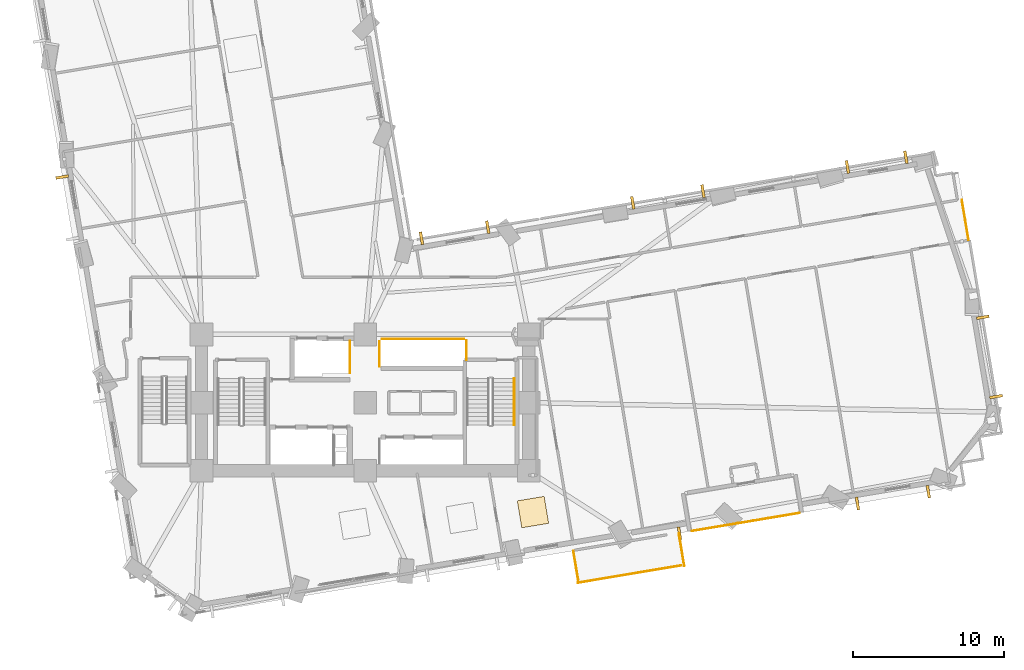
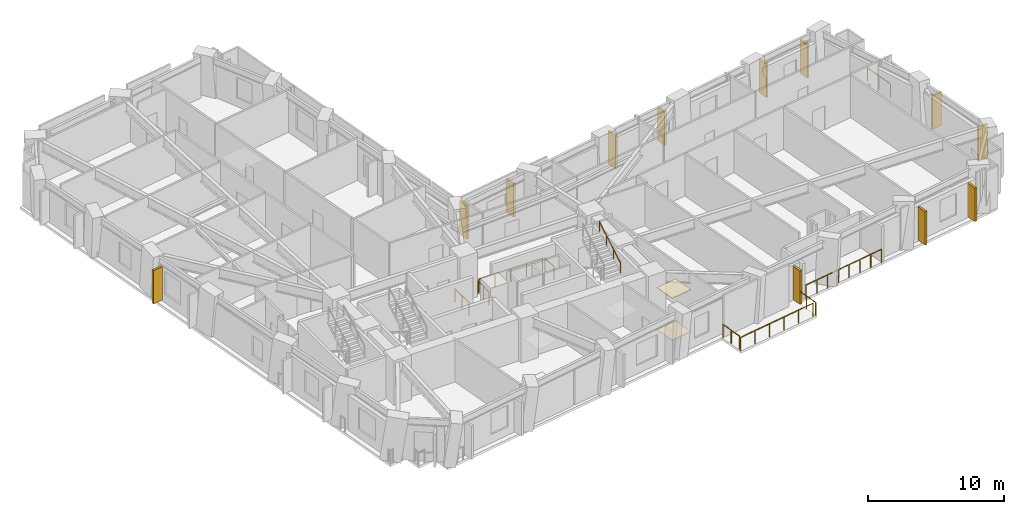
# One storey, part 14 of 16: 12 shading devices, 10 railings, 2 coverings.
"""IFC4 building model written with IfcOpenShell, lengths in metres."""

from ifc_helpers import new_model, si_unit, direction, frame, origin, origin_2d, place, context, subcontext, project, spatial, rectangle, circle, extrude, material, layer, layer_set, type_object, element, save


model = new_model("IFC4")

# Units and contexts
model_context = context("Model", 3, precision=1e-05, world=origin(), true_north=direction((0.0, 1.0)))
body_context = subcontext(model_context, "Body", "Model", "MODEL_VIEW")
ifc_project = project(units=[si_unit("LENGTHUNIT", "METRE"), si_unit("AREAUNIT", "SQUARE_METRE"), si_unit("VOLUMEUNIT", "CUBIC_METRE"), si_unit("PLANEANGLEUNIT", "RADIAN"), si_unit("MASSUNIT", "GRAM", prefix="KILO")], contexts=[model_context])

# Site, building, storey
site_placement = place(None, origin())
site = spatial("IfcSite", under=ifc_project, at=site_placement, CompositionType="ELEMENT")
building_placement = place(site_placement, origin())
building = spatial("IfcBuilding", under=site, at=building_placement, Name="Gaonmaruhae Medical Tower", CompositionType="ELEMENT")
storey_placement = place(building_placement, frame((0.0, 0.0, 63.0)))
storey = spatial("IfcBuildingStorey", under=building, at=storey_placement, Name="L14", CompositionType="ELEMENT", Elevation=63.0)

# Coverings
ifc_material_1 = material(Name="Acoustic mineral ceiling tile", Category="finish")
ifc_layer_1 = layer(ifc_material_1, 0.02490234375)
ifc_layer_set_1 = layer_set([ifc_layer_1], Name="Acoustic mineral ceiling tile")
covering_type_1 = type_object("IfcCoveringType", Name="CLG-01 Antimicrobial Acoustic Mineral Ceiling", PredefinedType="CEILING", material=ifc_layer_set_1)
covering_1_placement = place(storey_placement, frame((35.8828125, 5.0703125, 3.755126953125), z_axis=(0.0, 0.0, 1.0), x_axis=(0.986285601537, 0.165047605861, 0.0)))
element("IfcCovering", 1, at=covering_1_placement, inside=storey, type_object=covering_type_1, Name="L14 Clinical Room Acoustic Ceiling 4", PredefinedType="CEILING", context=body_context, shape_type="SweptSolid", body=[
    extrude(rectangle(XDim=1.800048828125, YDim=1.800048828125, at=origin_2d()), origin(), (0.0, 0.0, 1.0), 0.02490234375),
])
ifc_material_2 = material(Name="Seamless clinical vinyl flooring", Category="finish")
ifc_layer_2 = layer(ifc_material_2, 0.014892578125)
ifc_layer_set_2 = layer_set([ifc_layer_2], Name="Seamless clinical vinyl flooring")
covering_type_2 = type_object("IfcCoveringType", Name="FLR-01 Seamless Clinical Antistatic Vinyl Flooring", PredefinedType="FLOORING", material=ifc_layer_set_2)
covering_2_placement = place(storey_placement, frame((35.8828125, 5.0703125, 0.0), z_axis=(0.0, 0.0, 1.0), x_axis=(0.986285601537, 0.165047605861, 0.0)))
element("IfcCovering", 2, at=covering_2_placement, inside=storey, type_object=covering_type_2, Name="L14 Clinical Room Vinyl Flooring 4", PredefinedType="FLOORING", context=body_context, shape_type="SweptSolid", body=[
    extrude(rectangle(XDim=1.800048828125, YDim=1.800048828125, at=origin_2d()), origin(), (0.0, 0.0, 1.0), 0.014892578125),
])

# Railings
ifc_material_3 = material(Name="Stainless steel 316L and laminated safety glass", Category="steel")
ifc_layer_3 = layer(ifc_material_3, 0.080078125)
ifc_layer_set_3 = layer_set([ifc_layer_3], Name="Stainless steel 316L and laminated safety glass")
railing_type_1 = type_object("IfcRailingType", Name="GD-120 Outdoor Terrace Safety Glass & Steel Balustrade", PredefinedType="BALUSTRADE", material=ifc_layer_set_3)
railing_1_placement = place(storey_placement, frame((46.373779296875, 3.820556640625, 0.0)))
element("IfcRailing", 3, at=railing_1_placement, inside=storey, type_object=railing_type_1, Name="L14 Terrace Safety Guard RL-SLB-L14-TER-01", PredefinedType="BALUSTRADE", context=body_context, shape_type="SweptSolid", body=[
    extrude(circle(Radius=0.02392578125, at=origin_2d()), frame((0.0, 0.0, 1.17578125), z_axis=(0.986288330739, 0.165031295964, 0.0), x_axis=(-0.165031295964, 0.986288330739, 0.0)), (0.0, 0.0, 1.0), 7.199951171875),
    extrude(circle(Radius=0.02099609375, at=origin_2d()), origin(), (0.0, 0.0, 1.0), 1.15185546875),
    extrude(circle(Radius=0.02099609375, at=origin_2d()), frame((1.014404296875, 0.169677734375, 0.0)), (0.0, 0.0, 1.0), 1.15185546875),
    extrude(circle(Radius=0.02099609375, at=origin_2d()), frame((2.029052734375, 0.339599609375, 0.0)), (0.0, 0.0, 1.0), 1.15185546875),
    extrude(circle(Radius=0.02099609375, at=origin_2d()), frame((3.04345703125, 0.50927734375, 0.0)), (0.0, 0.0, 1.0), 1.15185546875),
    extrude(circle(Radius=0.02099609375, at=origin_2d()), frame((4.057861328125, 0.678955078125, 0.0)), (0.0, 0.0, 1.0), 1.15185546875),
    extrude(circle(Radius=0.02099609375, at=origin_2d()), frame((5.072265625, 0.8486328125, 0.0)), (0.0, 0.0, 1.0), 1.15185546875),
    extrude(circle(Radius=0.02099609375, at=origin_2d()), frame((6.0869140625, 1.0185546875, 0.0)), (0.0, 0.0, 1.0), 1.15185546875),
    extrude(circle(Radius=0.02099609375, at=origin_2d()), frame((7.101318359375, 1.188232421875, 0.0)), (0.0, 0.0, 1.0), 1.15185546875),
])
railing_2_placement = place(storey_placement, frame((64.20458984375, 25.678955078125, 0.0)))
element("IfcRailing", 4, at=railing_2_placement, inside=storey, type_object=railing_type_1, Name="L14 Perimeter Slab Edge Safety Balustrade 08", PredefinedType="BALUSTRADE", context=body_context, shape_type="SweptSolid", body=[
    extrude(circle(Radius=0.02392578125, at=origin_2d()), frame((0.0, 0.0, 1.17578125), z_axis=(0.16511334473, -0.986274598371, 0.0), x_axis=(0.986274598371, 0.16511334473, 0.0)), (0.0, 0.0, 1.0), 2.66015625),
    extrude(circle(Radius=0.02099609375, at=origin_2d()), origin(), (0.0, 0.0, 1.0), 1.15185546875),
    extrude(circle(Radius=0.02099609375, at=origin_2d()), frame((0.2197265625, -1.311767578125, 0.0)), (0.0, 0.0, 1.0), 1.15185546875),
    extrude(circle(Radius=0.02099609375, at=origin_2d()), frame((0.439208984375, -2.62353515625, 0.0)), (0.0, 0.0, 1.0), 1.15185546875),
])
railing_3_placement = place(storey_placement, frame((45.51904296875, 3.6572265625, 0.0)))
element("IfcRailing", 5, at=railing_3_placement, inside=storey, type_object=railing_type_1, Name="L14 Perimeter Slab Edge Safety Balustrade 09", PredefinedType="BALUSTRADE", context=body_context, shape_type="SweptSolid", body=[
    extrude(circle(Radius=0.02392578125, at=origin_2d()), frame((0.0, 0.0, 1.17578125), z_axis=(0.165022140662, -0.986289862612, 0.0), x_axis=(0.986289862612, 0.165022140662, 0.0)), (0.0, 0.0, 1.0), 2.159912109375),
    extrude(circle(Radius=0.02099609375, at=origin_2d()), origin(), (0.0, 0.0, 1.0), 1.15185546875),
    extrude(circle(Radius=0.02099609375, at=origin_2d()), frame((0.17822265625, -1.065185546875, 0.0)), (0.0, 0.0, 1.0), 1.15185546875),
    extrude(circle(Radius=0.02099609375, at=origin_2d()), frame((0.3564453125, -2.13037109375, 0.0)), (0.0, 0.0, 1.0), 1.15185546875),
])
railing_4_placement = place(storey_placement, frame((45.668701171875, 1.54296875, 0.0)))
element("IfcRailing", 6, at=railing_4_placement, inside=storey, type_object=railing_type_1, Name="L14 Perimeter Slab Edge Safety Balustrade 10", PredefinedType="BALUSTRADE", context=body_context, shape_type="SweptSolid", body=[
    extrude(circle(Radius=0.02392578125, at=origin_2d()), frame((0.0, 0.0, 1.17578125), z_axis=(-0.986282910517, -0.165063685956, 0.0), x_axis=(0.165063685956, -0.986282910517, 0.0)), (0.0, 0.0, 1.0), 6.90869140625),
    extrude(circle(Radius=0.02099609375, at=origin_2d()), origin(), (0.0, 0.0, 1.0), 1.15185546875),
    extrude(circle(Radius=0.02099609375, at=origin_2d()), frame((-1.36279296875, -0.22802734375, 0.0)), (0.0, 0.0, 1.0), 1.15185546875),
    extrude(circle(Radius=0.02099609375, at=origin_2d()), frame((-2.7255859375, -0.4560546875, 0.0)), (0.0, 0.0, 1.0), 1.15185546875),
    extrude(circle(Radius=0.02099609375, at=origin_2d()), frame((-4.08837890625, -0.684326171875, 0.0)), (0.0, 0.0, 1.0), 1.15185546875),
    extrude(circle(Radius=0.02099609375, at=origin_2d()), frame((-5.451171875, -0.912353515625, 0.0)), (0.0, 0.0, 1.0), 1.15185546875),
    extrude(circle(Radius=0.02099609375, at=origin_2d()), frame((-6.81396484375, -1.140380859375, 0.0)), (0.0, 0.0, 1.0), 1.15185546875),
])
railing_5_placement = place(storey_placement, frame((38.873046875, 0.596923828125, 0.0)))
element("IfcRailing", 7, at=railing_5_placement, inside=storey, type_object=railing_type_1, Name="L14 Perimeter Slab Edge Safety Balustrade 11", PredefinedType="BALUSTRADE", context=body_context, shape_type="SweptSolid", body=[
    extrude(circle(Radius=0.02392578125, at=origin_2d()), frame((0.0, 0.0, 1.17578125), z_axis=(-0.165058318429, 0.986283808808, 0.0), x_axis=(-0.986283808808, -0.165058318429, 0.0)), (0.0, 0.0, 1.0), 1.92138671875),
    extrude(circle(Radius=0.02099609375, at=origin_2d()), origin(), (0.0, 0.0, 1.0), 1.15185546875),
    extrude(circle(Radius=0.02099609375, at=origin_2d()), frame((-0.15869140625, 0.947509765625, 0.0)), (0.0, 0.0, 1.0), 1.15185546875),
    extrude(circle(Radius=0.02099609375, at=origin_2d()), frame((-0.317138671875, 1.89501953125, 0.0)), (0.0, 0.0, 1.0), 1.15185546875),
])
ifc_material_4 = material(Name="Stainless steel 304 handrail", Category="steel")
railing_type_2 = type_object("IfcRailingType", Name="HR-092 Continuous Stainless Steel Stair Handrail", PredefinedType="HANDRAIL", material=ifc_material_4)
railing_6_placement = place(storey_placement, frame((34.64990234375, 10.820068359375, 2.166748046875)))
element("IfcRailing", 8, at=railing_6_placement, inside=storey, type_object=railing_type_2, Name="L14 ST-02 stair handrail 2", PredefinedType="HANDRAIL", context=body_context, shape_type="SweptSolid", body=[
    extrude(circle(Radius=0.02392578125, at=origin_2d()), frame((0.0, 0.0, 0.8759765625), z_axis=(0.0, 0.859290745958, 0.51148745235), x_axis=(-1.0, 0.0, 0.0)), (0.0, 0.0, 1.0), 3.584228515625),
    extrude(circle(Radius=0.02099609375, at=origin_2d()), origin(), (0.0, 0.0, 1.0), 0.851806640625),
    extrude(circle(Radius=0.02099609375, at=origin_2d()), frame((0.0, 1.026611328125, 0.611083984375)), (0.0, 0.0, 1.0), 0.851806640625),
    extrude(circle(Radius=0.02099609375, at=origin_2d()), frame((0.0, 2.05322265625, 1.22216796875)), (0.0, 0.0, 1.0), 0.851806640625),
    extrude(circle(Radius=0.02099609375, at=origin_2d()), frame((0.0, 3.079833984375, 1.833251953125)), (0.0, 0.0, 1.0), 0.851806640625),
])

# Shading devices
ifc_material_5 = material(Name="Pigmented coral precast concrete C45/55", Category="concrete")
shading_device_type = type_object("IfcShadingDeviceType", Name="SD-FIN1 Tower Vertical Coral Precast Shading Fin", PredefinedType="USERDEFINED", material=ifc_material_5)
for number, where, z_axis, x_axis, name in (
    (9, (45.5576171875, 3.668701171875, 0.072509765625), (0.0, 0.0, 1.0), (-0.986285601537, -0.165047605861, 0.0), "L14 Vertical Coral Precast Shading Fin S05"),
    (10, (61.988037109375, 6.418212890625, 0.08251953125), (0.0, 0.0, 1.0), (-0.986285601537, -0.165047605861, 0.0), "L14 Vertical Coral Precast Shading Fin S07"),
    (11, (57.30859375, 5.63525390625, 0.08251953125), (0.0, 0.0, 1.0), (-0.986285601537, -0.165047605861, 0.0), "L14 Vertical Coral Precast Shading Fin S07B"),
    (12, (65.587158203125, 17.93212890625, 0.08251953125), (0.0, 0.0, 1.0), (0.165047605861, -0.986285601537, 0.0), "L14 Vertical Coral Precast Shading Fin E01"),
    (13, (66.463623046875, 12.69482421875, 0.08251953125), (0.0, 0.0, 1.0), (0.165047605861, -0.986285601537, 0.0), "L14 Vertical Coral Precast Shading Fin E01B"),
    (14, (56.650390625, 27.861328125, 0.08251953125), (0.0, 0.0, 1.0), (0.986288482011, 0.165030391904, 0.0), "L14 Vertical Coral Precast Shading Fin E03"),
    (15, (60.505859375, 28.506591796875, 0.08251953125), (0.0, 0.0, 1.0), (0.986288482011, 0.165030391904, 0.0), "L14 Vertical Coral Precast Shading Fin E03B"),
    (16, (42.47314453125, 25.489013671875, 0.08251953125), (0.0, 0.0, 1.0), (0.986285601537, 0.165047605861, 0.0), "L14 Vertical Coral Precast Shading Fin EN02"),
    (17, (47.1083984375, 26.2646484375, 0.08251953125), (0.0, 0.0, 1.0), (0.986285601537, 0.165047605861, 0.0), "L14 Vertical Coral Precast Shading Fin EN02B"),
    (18, (28.51904296875, 23.15380859375, 0.08251953125), (0.0, 0.0, 1.0), (0.986285601537, 0.165047605861, 0.0), "L14 Vertical Coral Precast Shading Fin EN04"),
    (19, (32.89453125, 23.885986328125, 0.08251953125), (0.0, 0.0, 1.0), (0.986285601537, 0.165047605861, 0.0), "L14 Vertical Coral Precast Shading Fin EN04B"),
    (20, (4.79443359375, 27.196533203125, 0.08251953125), (0.0, 0.0, 1.0), (-0.165047605861, 0.986285601537, 0.0), "L14 Vertical Coral Precast Shading Fin W03B"),
):
    element("IfcShadingDevice", number, at=place(storey_placement, frame(where, z_axis=z_axis, x_axis=x_axis)), inside=storey, type_object=shading_device_type, Name=name, ObjectType="FIN", PredefinedType="USERDEFINED", context=body_context, shape_type="SweptSolid", body=[
        extrude(rectangle(XDim=0.179931640625, YDim=0.85009765625, at=origin_2d()), origin(), (0.0, 0.0, 1.0), 3.0),
    ])

# Railings
ifc_material_6 = material(Name="Stainless steel 304 balustrade", Category="steel")
railing_type_3 = type_object("IfcRailingType", Name="SG-112 Stair Well & Ramp Void Safety Balustrade", PredefinedType="BALUSTRADE", material=ifc_material_6)
railing_7_placement = place(storey_placement, frame((23.794921875, 16.35498046875, 0.0)))
element("IfcRailing", 21, at=railing_7_placement, inside=storey, type_object=railing_type_3, Name="L14 Shaft Edge Safety Guard 18", PredefinedType="BALUSTRADE", context=body_context, shape_type="SweptSolid", body=[
    extrude(circle(Radius=0.02392578125, at=origin_2d()), frame((0.0, 0.0, 1.17578125), z_axis=(0.0, -1.0, 0.0), x_axis=(1.0, 0.0, 0.0)), (0.0, 0.0, 1.0), 2.10986328125),
    extrude(circle(Radius=0.02099609375, at=origin_2d()), origin(), (0.0, 0.0, 1.0), 1.15185546875),
    extrude(circle(Radius=0.02099609375, at=origin_2d()), frame((0.0, -1.054931640625, 0.0)), (0.0, 0.0, 1.0), 1.15185546875),
    extrude(circle(Radius=0.02099609375, at=origin_2d()), frame((0.0, -2.10986328125, 0.0)), (0.0, 0.0, 1.0), 1.15185546875),
])
railing_8_placement = place(storey_placement, frame((31.4951171875, 16.405029296875, 0.0)))
element("IfcRailing", 22, at=railing_8_placement, inside=storey, type_object=railing_type_3, Name="L14 Shaft Edge Safety Guard 19", PredefinedType="BALUSTRADE", context=body_context, shape_type="SweptSolid", body=[
    extrude(circle(Radius=0.02392578125, at=origin_2d()), frame((0.0, 0.0, 1.17578125), z_axis=(0.0, -1.0, 0.0), x_axis=(1.0, 0.0, 0.0)), (0.0, 0.0, 1.0), 1.284912109375),
    extrude(circle(Radius=0.02099609375, at=origin_2d()), origin(), (0.0, 0.0, 1.0), 1.15185546875),
    extrude(circle(Radius=0.02099609375, at=origin_2d()), frame((0.0, -1.284912109375, 0.0)), (0.0, 0.0, 1.0), 1.15185546875),
])
railing_9_placement = place(storey_placement, frame((25.7548828125, 14.695068359375, 0.0)))
element("IfcRailing", 23, at=railing_9_placement, inside=storey, type_object=railing_type_3, Name="L14 Shaft Edge Safety Guard 20", PredefinedType="BALUSTRADE", context=body_context, shape_type="SweptSolid", body=[
    extrude(circle(Radius=0.02392578125, at=origin_2d()), frame((0.0, 0.0, 1.17578125), z_axis=(0.0, 1.0, 0.0), x_axis=(-1.0, 0.0, 0.0)), (0.0, 0.0, 1.0), 1.635009765625),
    extrude(circle(Radius=0.02099609375, at=origin_2d()), origin(), (0.0, 0.0, 1.0), 1.15185546875),
    extrude(circle(Radius=0.02099609375, at=origin_2d()), frame((0.0, 0.8173828125, 0.0)), (0.0, 0.0, 1.0), 1.15185546875),
    extrude(circle(Radius=0.02099609375, at=origin_2d()), frame((0.0, 1.635009765625, 0.0)), (0.0, 0.0, 1.0), 1.15185546875),
])
railing_10_placement = place(storey_placement, frame((25.919921875, 16.4951171875, 0.0)))
element("IfcRailing", 24, at=railing_10_placement, inside=storey, type_object=railing_type_3, Name="L14 Shaft Edge Safety Guard 21", PredefinedType="BALUSTRADE", context=body_context, shape_type="SweptSolid", body=[
    extrude(circle(Radius=0.02392578125, at=origin_2d()), frame((0.0, 0.0, 1.17578125), z_axis=(1.0, 0.0, 0.0), x_axis=(0.0, 1.0, 0.0)), (0.0, 0.0, 1.0), 5.41015625),
    extrude(circle(Radius=0.02099609375, at=origin_2d()), origin(), (0.0, 0.0, 1.0), 1.15185546875),
    extrude(circle(Radius=0.02099609375, at=origin_2d()), frame((1.3525390625, 0.0, 0.0)), (0.0, 0.0, 1.0), 1.15185546875),
    extrude(circle(Radius=0.02099609375, at=origin_2d()), frame((2.705078125, 0.0, 0.0)), (0.0, 0.0, 1.0), 1.15185546875),
    extrude(circle(Radius=0.02099609375, at=origin_2d()), frame((4.0576171875, 0.0, 0.0)), (0.0, 0.0, 1.0), 1.15185546875),
    extrude(circle(Radius=0.02099609375, at=origin_2d()), frame((5.41015625, 0.0, 0.0)), (0.0, 0.0, 1.0), 1.15185546875),
])

save(model, "model.ifc")
